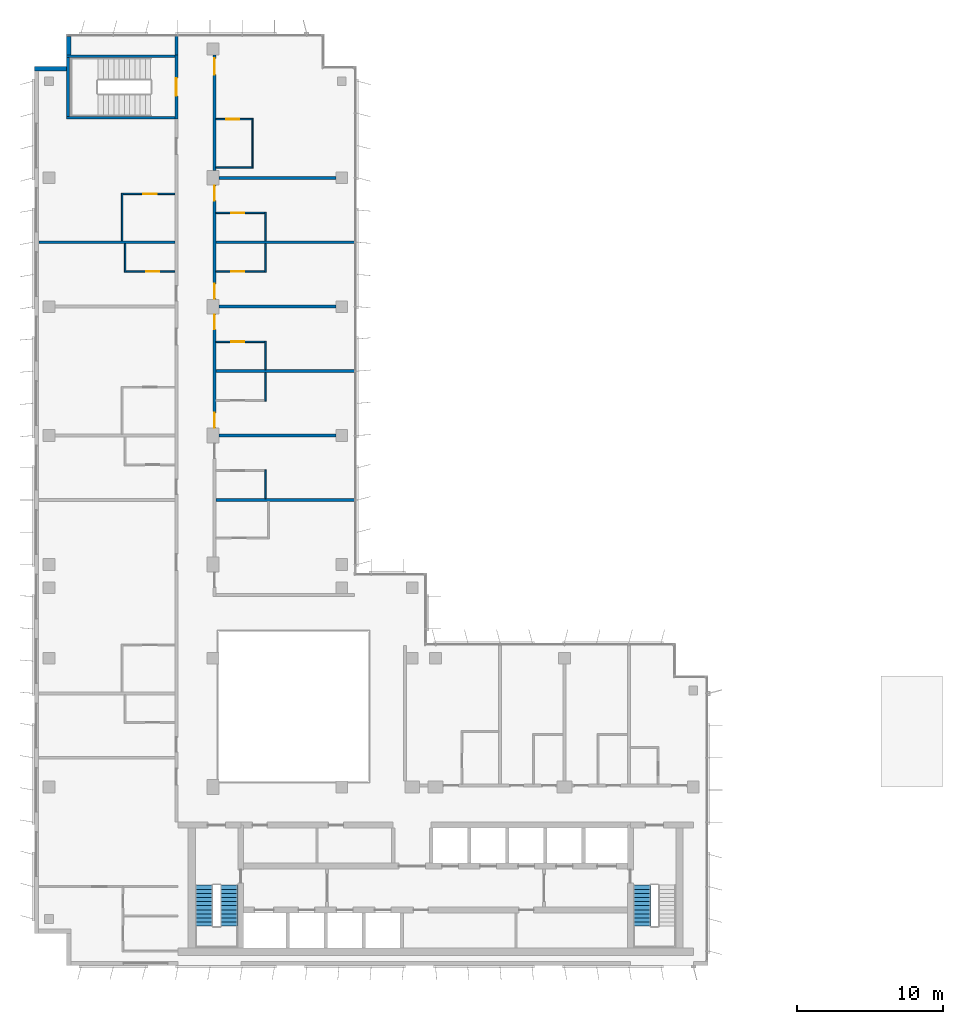
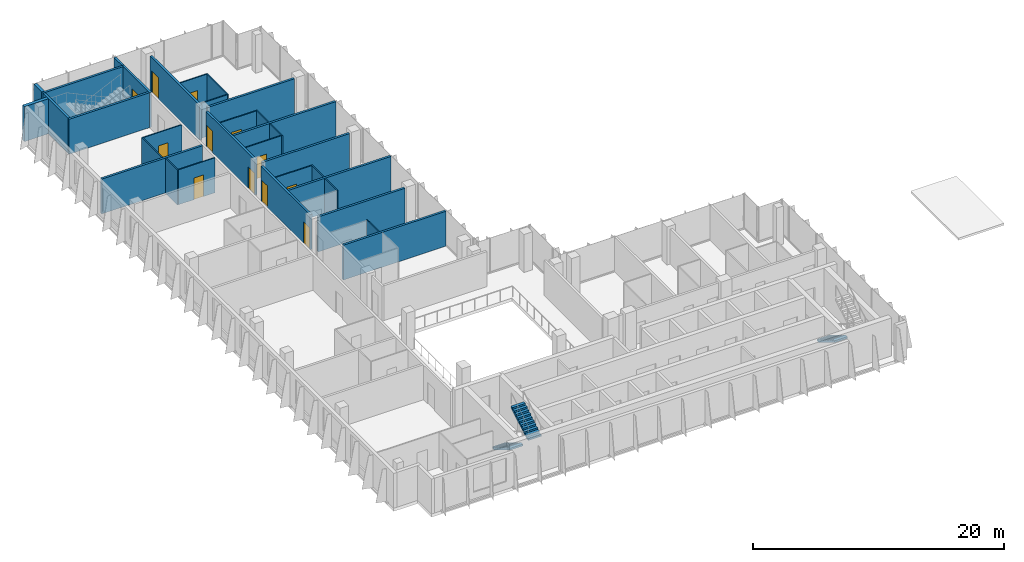
# One storey, part 13 of 17: 32 walls, 12 doors, 3 stair flights, 12 openings, 2 elements without a shape of their own.
"""IFC4 building model written with IfcOpenShell, lengths in metres."""

from ifc_helpers import new_model, si_unit, direction, frame, frame_2d, origin, place, context, subcontext, project, spatial, polyline, rectangle, outline, extrude, material, layer, layer_set, type_object, element, fill, aggregate, save


model = new_model("IFC4")

# Units and contexts
model_context = context("Model", 3, precision=1e-05, world=origin(), true_north=direction((0.0, 1.0)))
body_context = subcontext(model_context, "Body", "Model", "MODEL_VIEW")
ifc_project = project(units=[si_unit("LENGTHUNIT", "METRE"), si_unit("AREAUNIT", "SQUARE_METRE"), si_unit("VOLUMEUNIT", "CUBIC_METRE"), si_unit("PLANEANGLEUNIT", "RADIAN"), si_unit("MASSUNIT", "GRAM", prefix="KILO")], contexts=[model_context])

# Site, building, storey
site_placement = place(None, origin())
site = spatial("IfcSite", under=ifc_project, at=site_placement, CompositionType="ELEMENT")
building_placement = place(site_placement, origin())
building = spatial("IfcBuilding", under=site, at=building_placement, Name="Kemantara Hotel Tower", CompositionType="ELEMENT")
storey_placement = place(building_placement, frame((0.0, 0.0, 226.5)))
storey = spatial("IfcBuildingStorey", under=building, at=storey_placement, Name="L56", CompositionType="ELEMENT", Elevation=226.5)

# Walls
ifc_material_1 = material(Name="Bronze anodised aluminium cladding on insulated steel stud wall", Category="steel")
ifc_layer_1 = layer(ifc_material_1, 0.300048828125)
ifc_layer_set_1 = layer_set([ifc_layer_1], Name="Bronze anodised aluminium cladding on insulated steel stud wall")
wall_type_1 = type_object("IfcWallType", Name="BRONZE METAL-CLAD EXTERNAL WALL 300", PredefinedType="STANDARD", material=ifc_layer_set_1)
wall_1_placement = place(storey_placement, frame((2.35009765625, 63.449951171875, 0.0), z_axis=(0.0, 0.0, 1.0), x_axis=(0.0, -1.0, 0.0)))
element("IfcWall", 1, at=wall_1_placement, inside=storey, type_object=wall_type_1, Name="EXTERNAL WALL L56 T4-R03", PredefinedType="STANDARD", context=body_context, shape_type="SweptSolid", body=[
    extrude(rectangle(XDim=1.25, YDim=0.300048828125, at=frame_2d((0.625, 0.0))), origin(), (0.0, 0.0, 1.0), 3.39990234375),
])
wall_2_placement = place(storey_placement, frame((2.199951171875, 61.25, 0.0), z_axis=(0.0, 0.0, 1.0), x_axis=(-1.0, 0.0, 0.0)))
element("IfcWall", 2, at=wall_2_placement, inside=storey, type_object=wall_type_1, Name="EXTERNAL WALL L56 T4-R04", PredefinedType="STANDARD", context=body_context, shape_type="SweptSolid", body=[
    extrude(rectangle(XDim=2.199951171875, YDim=0.300048828125, at=frame_2d((1.10009765625, 0.0))), origin(), (0.0, 0.0, 1.0), 3.39990234375),
])
ifc_material_2 = material(Name="Gypsum board partition, steel studs and mineral wool, 200 mm", Category="steel")
ifc_layer_2 = layer(ifc_material_2, 0.199951171875)
ifc_layer_set_2 = layer_set([ifc_layer_2], Name="Gypsum board partition, steel studs and mineral wool, 200 mm")
wall_type_2 = type_object("IfcWallType", Name="CORRIDOR WALL 200", PredefinedType="PARTITIONING", material=ifc_layer_set_2)
wall_3_placement = place(storey_placement, frame((9.699951171875, 62.199951171875, 0.0), z_axis=(0.0, 0.0, 1.0), x_axis=(0.0, 1.0, 0.0)))
element("IfcWall", 3, at=wall_3_placement, inside=storey, type_object=wall_type_2, Name="CORRIDOR WALL 200 009", PredefinedType="PARTITIONING", context=body_context, shape_type="SweptSolid", body=[
    extrude(rectangle(XDim=1.280029296875, YDim=0.199951171875, at=frame_2d((0.64013671875, 0.0))), origin(), (0.0, 0.0, 1.0), 3.39990234375),
])

# Wall, openings, doors
wall_4_placement = place(storey_placement, frame((12.300048828125, 44.5, 0.0), z_axis=(0.0, 0.0, 1.0), x_axis=(0.0, -1.0, 0.0)))
wall_4 = element("IfcWall", 4, at=wall_4_placement, inside=storey, type_object=wall_type_2, Name="CORRIDOR WALL 200 022", PredefinedType="PARTITIONING", context=body_context, shape_type="SweptSolid", body=[
    extrude(rectangle(XDim=7.7998046875, YDim=0.199951171875, at=frame_2d((3.89990234375, 0.0))), origin(), (0.0, 0.0, 1.0), 3.39990234375),
])
opening_1_placement = place(wall_4_placement, frame((6.75, 0.0, 0.0)))
opening_1 = element("IfcOpeningElement", 5, at=opening_1_placement, cuts=wall_4, Name="Opening F27-029", PredefinedType="OPENING", context=body_context, shape_type="SweptSolid", body=[
    extrude(rectangle(XDim=1.0, YDim=2.10009765625, at=frame_2d((0.5, 1.050048828125))), frame((0.0, 0.10986328125, 0.0), z_axis=(0.0, -1.0, 0.0), x_axis=(1.0, 0.0, 0.0)), (0.0, 0.0, 1.0), 0.219970703125),
])
opening_2_placement = place(wall_4_placement, frame((0.0498046875, 0.0, 0.0)))
opening_2 = element("IfcOpeningElement", 6, at=opening_2_placement, cuts=wall_4, Name="Opening F27-031", PredefinedType="OPENING", context=body_context, shape_type="SweptSolid", body=[
    extrude(rectangle(XDim=1.0, YDim=2.10009765625, at=frame_2d((0.5, 1.050048828125))), frame((0.0, 0.10986328125, 0.0), z_axis=(0.0, -1.0, 0.0), x_axis=(1.0, 0.0, 0.0)), (0.0, 0.0, 1.0), 0.219970703125),
])
ifc_material_3 = material(Name="Hardwood veneer door leaf with steel frame", Category="steel")
door_type_1 = type_object("IfcDoorType", Name="GUEST ROOM DOOR 1000 X 2100 FD30S", OperationType="NOTDEFINED", PredefinedType="DOOR", material=ifc_material_3)
door_1_placement = place(opening_1_placement, origin())
door_1 = element("IfcDoor", 7, at=door_1_placement, inside=storey, type_object=door_type_1, Name="GUEST ROOM DOOR F27-029", OperationType="SINGLE_SWING_RIGHT", OverallHeight=2.10009765625, OverallWidth=1.0, PredefinedType="DOOR", context=body_context, shape_type="SweptSolid", body=[
    extrude(rectangle(XDim=1.0, YDim=2.10009765625, at=frame_2d((0.5, 1.050048828125))), frame((0.0, 0.02490234375, 0.0), z_axis=(0.0, -1.0, 0.0), x_axis=(1.0, 0.0, 0.0)), (0.0, 0.0, 1.0), 0.050048828125),
])
fill(opening_1, door_1)
door_2_placement = place(opening_2_placement, origin())
door_2 = element("IfcDoor", 8, at=door_2_placement, inside=storey, type_object=door_type_1, Name="GUEST ROOM DOOR F27-031", OperationType="SINGLE_SWING_LEFT", OverallHeight=2.10009765625, OverallWidth=1.0, PredefinedType="DOOR", context=body_context, shape_type="SweptSolid", body=[
    extrude(rectangle(XDim=1.0, YDim=2.10009765625, at=frame_2d((0.5, 1.050048828125))), frame((0.0, 0.02490234375, 0.0), z_axis=(0.0, -1.0, 0.0), x_axis=(1.0, 0.0, 0.0)), (0.0, 0.0, 1.0), 0.050048828125),
])
fill(opening_2, door_2)

wall_5_placement = place(storey_placement, frame((12.300048828125, 53.2998046875, 0.0), z_axis=(0.0, 0.0, 1.0), x_axis=(0.0, -1.0, 0.0)))
wall_5 = element("IfcWall", 9, at=wall_5_placement, inside=storey, type_object=wall_type_2, Name="CORRIDOR WALL 200 023", PredefinedType="PARTITIONING", context=body_context, shape_type="SweptSolid", body=[
    extrude(rectangle(XDim=7.7998046875, YDim=0.199951171875, at=frame_2d((3.89990234375, 0.0))), origin(), (0.0, 0.0, 1.0), 3.39990234375),
])
opening_3_placement = place(wall_5_placement, frame((6.75, 0.0, 0.0)))
opening_3 = element("IfcOpeningElement", 10, at=opening_3_placement, cuts=wall_5, Name="Opening F27-033", PredefinedType="OPENING", context=body_context, shape_type="SweptSolid", body=[
    extrude(rectangle(XDim=1.0, YDim=2.10009765625, at=frame_2d((0.5, 1.050048828125))), frame((0.0, 0.10986328125, 0.0), z_axis=(0.0, -1.0, 0.0), x_axis=(1.0, 0.0, 0.0)), (0.0, 0.0, 1.0), 0.219970703125),
])
opening_4_placement = place(wall_5_placement, frame((0.0498046875, 0.0, 0.0)))
opening_4 = element("IfcOpeningElement", 11, at=opening_4_placement, cuts=wall_5, Name="Opening F27-035", PredefinedType="OPENING", context=body_context, shape_type="SweptSolid", body=[
    extrude(rectangle(XDim=1.0, YDim=2.10009765625, at=frame_2d((0.5, 1.050048828125))), frame((0.0, 0.10986328125, 0.0), z_axis=(0.0, -1.0, 0.0), x_axis=(1.0, 0.0, 0.0)), (0.0, 0.0, 1.0), 0.219970703125),
])
door_3_placement = place(opening_3_placement, origin())
door_3 = element("IfcDoor", 12, at=door_3_placement, inside=storey, type_object=door_type_1, Name="GUEST ROOM DOOR F27-033", OperationType="SINGLE_SWING_RIGHT", OverallHeight=2.10009765625, OverallWidth=1.0, PredefinedType="DOOR", context=body_context, shape_type="SweptSolid", body=[
    extrude(rectangle(XDim=1.0, YDim=2.10009765625, at=frame_2d((0.5, 1.050048828125))), frame((0.0, 0.02490234375, 0.0), z_axis=(0.0, -1.0, 0.0), x_axis=(1.0, 0.0, 0.0)), (0.0, 0.0, 1.0), 0.050048828125),
])
fill(opening_3, door_3)
door_4_placement = place(opening_4_placement, origin())
door_4 = element("IfcDoor", 13, at=door_4_placement, inside=storey, type_object=door_type_1, Name="GUEST ROOM DOOR F27-035", OperationType="SINGLE_SWING_LEFT", OverallHeight=2.10009765625, OverallWidth=1.0, PredefinedType="DOOR", context=body_context, shape_type="SweptSolid", body=[
    extrude(rectangle(XDim=1.0, YDim=2.10009765625, at=frame_2d((0.5, 1.050048828125))), frame((0.0, 0.02490234375, 0.0), z_axis=(0.0, -1.0, 0.0), x_axis=(1.0, 0.0, 0.0)), (0.0, 0.0, 1.0), 0.050048828125),
])
fill(opening_4, door_4)

# Wall, opening, door
wall_6_placement = place(storey_placement, frame((12.300048828125, 62.199951171875, 0.0), z_axis=(0.0, 0.0, 1.0), x_axis=(0.0, -1.0, 0.0)))
wall_6 = element("IfcWall", 14, at=wall_6_placement, inside=storey, type_object=wall_type_2, Name="CORRIDOR WALL 200 024", PredefinedType="PARTITIONING", context=body_context, shape_type="SweptSolid", body=[
    extrude(rectangle(XDim=7.89990234375, YDim=0.199951171875, at=frame_2d((3.949951171875, 0.0))), origin(), (0.0, 0.0, 1.0), 3.39990234375),
])
opening_5_placement = place(wall_6_placement, frame((0.25, 0.0, 0.0)))
opening_5 = element("IfcOpeningElement", 15, at=opening_5_placement, cuts=wall_6, Name="Opening F27-037", PredefinedType="OPENING", context=body_context, shape_type="SweptSolid", body=[
    extrude(rectangle(XDim=1.10009765625, YDim=2.10009765625, at=frame_2d((0.550048828125, 1.050048828125))), frame((0.0, 0.10986328125, 0.0), z_axis=(0.0, -1.0, 0.0), x_axis=(1.0, 0.0, 0.0)), (0.0, 0.0, 1.0), 0.219970703125),
])
door_type_2 = type_object("IfcDoorType", Name="SUITE ENTRANCE DOOR 1100 X 2100 FD30S", OperationType="NOTDEFINED", PredefinedType="DOOR", material=ifc_material_3)
door_5_placement = place(opening_5_placement, origin())
door_5 = element("IfcDoor", 16, at=door_5_placement, inside=storey, type_object=door_type_2, Name="SUITE ENTRANCE DOOR F27-037", OperationType="SINGLE_SWING_LEFT", OverallHeight=2.10009765625, OverallWidth=1.10009765625, PredefinedType="DOOR", context=body_context, shape_type="SweptSolid", body=[
    extrude(rectangle(XDim=1.10009765625, YDim=2.10009765625, at=frame_2d((0.550048828125, 1.050048828125))), frame((0.0, 0.02490234375, 0.0), z_axis=(0.0, -1.0, 0.0), x_axis=(1.0, 0.0, 0.0)), (0.0, 0.0, 1.0), 0.050048828125),
])
fill(opening_5, door_5)

ifc_material_4 = material(Name="Concrete fc 40 MPa", Category="concrete")
ifc_layer_3 = layer(ifc_material_4, 0.199951171875)
ifc_layer_set_3 = layer_set([ifc_layer_3], Name="Concrete fc 40 MPa")
wall_type_3 = type_object("IfcWallType", Name="Concrete stair wall 200 mm", PredefinedType="SHEAR", material=ifc_layer_set_3)
wall_7_placement = place(storey_placement, frame((9.699951171875, 57.800048828125, 0.0), z_axis=(0.0, 0.0, 1.0), x_axis=(0.0, 1.0, 0.0)))
wall_7 = element("IfcWall", 17, at=wall_7_placement, inside=storey, type_object=wall_type_3, Name="Stair ST4 enclosure wall with door", PredefinedType="SHEAR", context=body_context, shape_type="SweptSolid", body=[
    extrude(rectangle(XDim=4.39990234375, YDim=0.199951171875, at=frame_2d((2.199951171875, 0.0))), origin(), (0.0, 0.0, 1.0), 3.39990234375),
])
opening_6_placement = place(wall_7_placement, frame((1.60009765625, 0.0, 0.0)))
opening_6 = element("IfcOpeningElement", 18, at=opening_6_placement, cuts=wall_7, Name="Opening ST4-C", PredefinedType="OPENING", context=body_context, shape_type="SweptSolid", body=[
    extrude(rectangle(XDim=1.199951171875, YDim=2.10009765625, at=frame_2d((0.60009765625, 1.050048828125))), frame((0.0, 0.10986328125, 0.0), z_axis=(0.0, -1.0, 0.0), x_axis=(1.0, 0.0, 0.0)), (0.0, 0.0, 1.0), 0.219970703125),
])
ifc_material_5 = material(Name="Steel fire door", Category="steel")
door_type_3 = type_object("IfcDoorType", Name="Fire door FD90 1200 x 2100", OperationType="NOTDEFINED", PredefinedType="DOOR", material=ifc_material_5)
door_6_placement = place(opening_6_placement, origin())
door_6 = element("IfcDoor", 19, at=door_6_placement, inside=storey, type_object=door_type_3, Name="Stair ST4 door", OperationType="SINGLE_SWING_RIGHT", OverallHeight=2.10009765625, OverallWidth=1.199951171875, PredefinedType="DOOR", context=body_context, shape_type="SweptSolid", body=[
    extrude(rectangle(XDim=1.199951171875, YDim=2.10009765625, at=frame_2d((0.60009765625, 1.050048828125))), frame((0.0, 0.02490234375, 0.0), z_axis=(0.0, -1.0, 0.0), x_axis=(1.0, 0.0, 0.0)), (0.0, 0.0, 1.0), 0.050048828125),
])
fill(opening_6, door_6)

# Walls
for number, where, z_axis, x_axis, name in (
    (20, (2.199951171875, 62.10009765625, 0.0), (0.0, 0.0, 1.0), (1.0, 0.0, 0.0), "Stair ST4 enclosure wall N"),
    (21, (2.199951171875, 57.89990234375, 0.0), (0.0, 0.0, 1.0), (1.0, 0.0, 0.0), "Stair ST4 enclosure wall S"),
):
    element("IfcWall", number, at=place(storey_placement, frame(where, z_axis=z_axis, x_axis=x_axis)), inside=storey, type_object=wall_type_3, Name=name, PredefinedType="SHEAR", context=body_context, shape_type="SweptSolid", body=[
        extrude(rectangle(XDim=7.400146484375, YDim=0.199951171875, at=frame_2d((3.7001953125, 0.0))), origin(), (0.0, 0.0, 1.0), 3.39990234375),
    ])
wall_8_placement = place(storey_placement, frame((2.300048828125, 58.0, 0.0), z_axis=(0.0, 0.0, 1.0), x_axis=(0.0, 1.0, 0.0)))
element("IfcWall", 22, at=wall_8_placement, inside=storey, type_object=wall_type_3, Name="Stair ST4 enclosure wall W", PredefinedType="SHEAR", context=body_context, shape_type="SweptSolid", body=[
    extrude(rectangle(XDim=4.0, YDim=0.199951171875, at=frame_2d((2.0, 0.0))), origin(), (0.0, 0.0, 1.0), 3.39990234375),
])
ifc_layer_4 = layer(ifc_material_2, 0.199951171875)
ifc_layer_set_4 = layer_set([ifc_layer_4], Name="Gypsum board partition, steel studs and mineral wool, 200 mm")
wall_type_4 = type_object("IfcWallType", Name="GUEST ROOM PARTY WALL 200", PredefinedType="PARTITIONING", material=ifc_layer_set_4)
wall_9_placement = place(storey_placement, frame((12.39990234375, 31.800048828125, 0.0), z_axis=(0.0, 0.0, 1.0), x_axis=(1.0, 0.0, 0.0)))
element("IfcWall", 23, at=wall_9_placement, inside=storey, type_object=wall_type_4, Name="GUEST ROOM PARTY WALL 200 013", PredefinedType="PARTITIONING", context=body_context, shape_type="SweptSolid", body=[
    extrude(rectangle(XDim=9.47021484375, YDim=0.199951171875, at=frame_2d((4.735107421875, 0.0))), origin(), (0.0, 0.0, 1.0), 3.39990234375),
])
for number, where, z_axis, x_axis, name in (
    (24, (12.60009765625, 36.199951171875, 0.0), (0.0, 0.0, 1.0), (1.0, 0.0, 0.0), "GUEST ROOM PARTY WALL 200 015"),
    (25, (12.60009765625, 45.0, 0.0), (0.0, 0.0, 1.0), (1.0, 0.0, 0.0), "GUEST ROOM PARTY WALL 200 017"),
):
    element("IfcWall", number, at=place(storey_placement, frame(where, z_axis=z_axis, x_axis=x_axis)), inside=storey, type_object=wall_type_4, Name=name, PredefinedType="PARTITIONING", context=body_context, shape_type="SweptSolid", body=[
        extrude(rectangle(XDim=7.999755859375, YDim=0.199951171875, at=frame_2d((4.0, 0.0))), origin(), (0.0, 0.0, 1.0), 3.39990234375),
    ])
wall_10_placement = place(storey_placement, frame((0.31005859375, 49.39990234375, 0.0), z_axis=(0.0, 0.0, 1.0), x_axis=(1.0, 0.0, 0.0)))
element("IfcWall", 26, at=wall_10_placement, inside=storey, type_object=wall_type_4, Name="GUEST ROOM PARTY WALL 200 018", PredefinedType="PARTITIONING", context=body_context, shape_type="SweptSolid", body=[
    extrude(rectangle(XDim=9.2900390625, YDim=0.199951171875, at=frame_2d((4.64501953125, 0.0))), origin(), (0.0, 0.0, 1.0), 3.39990234375),
])
for number, where, z_axis, x_axis, name in (
    (27, (12.39990234375, 49.39990234375, 0.0), (0.0, 0.0, 1.0), (1.0, 0.0, 0.0), "GUEST ROOM PARTY WALL 200 019"),
    (28, (12.39990234375, 40.60009765625, 0.0), (0.0, 0.0, 1.0), (1.0, 0.0, 0.0), "GUEST ROOM PARTY WALL 200 026"),
):
    element("IfcWall", number, at=place(storey_placement, frame(where, z_axis=z_axis, x_axis=x_axis)), inside=storey, type_object=wall_type_4, Name=name, PredefinedType="PARTITIONING", context=body_context, shape_type="SweptSolid", body=[
        extrude(rectangle(XDim=9.47021484375, YDim=0.199951171875, at=frame_2d((4.735107421875, 0.0))), origin(), (0.0, 0.0, 1.0), 3.39990234375),
    ])
wall_11_placement = place(storey_placement, frame((12.60009765625, 53.800048828125, 0.0), z_axis=(0.0, 0.0, 1.0), x_axis=(1.0, 0.0, 0.0)))
element("IfcWall", 29, at=wall_11_placement, inside=storey, type_object=wall_type_4, Name="GUEST ROOM PARTY WALL 200 027", PredefinedType="PARTITIONING", context=body_context, shape_type="SweptSolid", body=[
    extrude(rectangle(XDim=7.999755859375, YDim=0.199951171875, at=frame_2d((4.0, 0.0))), origin(), (0.0, 0.0, 1.0), 3.39990234375),
])
ifc_material_6 = material(Name="Gypsum board partition on steel studs, 100 mm", Category="steel")
ifc_layer_5 = layer(ifc_material_6, 0.10009765625)
ifc_layer_set_5 = layer_set([ifc_layer_5], Name="Gypsum board partition on steel studs, 100 mm")
wall_type_5 = type_object("IfcWallType", Name="ROOM PARTITION 100", PredefinedType="PARTITIONING", material=ifc_layer_set_5)
wall_12_placement = place(storey_placement, frame((6.199951171875, 47.35009765625, 0.0), z_axis=(0.0, 0.0, 1.0), x_axis=(0.0, 1.0, 0.0)))
element("IfcWall", 30, at=wall_12_placement, inside=storey, type_object=wall_type_5, Name="ROOM PARTITION 100 042", PredefinedType="PARTITIONING", context=body_context, shape_type="SweptSolid", body=[
    extrude(rectangle(XDim=1.949951171875, YDim=0.10009765625, at=frame_2d((0.97509765625, 0.0))), origin(), (0.0, 0.0, 1.0), 3.39990234375),
])
wall_13_placement = place(storey_placement, frame((6.0, 49.5, 0.0), z_axis=(0.0, 0.0, 1.0), x_axis=(0.0, 1.0, 0.0)))
element("IfcWall", 31, at=wall_13_placement, inside=storey, type_object=wall_type_5, Name="ROOM PARTITION 100 046", PredefinedType="PARTITIONING", context=body_context, shape_type="SweptSolid", body=[
    extrude(rectangle(XDim=3.25, YDim=0.10009765625, at=frame_2d((1.625, 0.0))), origin(), (0.0, 0.0, 1.0), 3.39990234375),
])

# Wall, opening, door
wall_14_placement = place(storey_placement, frame((6.25, 47.39990234375, 0.0), z_axis=(0.0, 0.0, 1.0), x_axis=(1.0, 0.0, 0.0)))
wall_14 = element("IfcWall", 32, at=wall_14_placement, inside=storey, type_object=wall_type_5, Name="ROOM PARTITION 100 050", PredefinedType="PARTITIONING", context=body_context, shape_type="SweptSolid", body=[
    extrude(rectangle(XDim=3.35009765625, YDim=0.10009765625, at=frame_2d((1.675048828125, 0.0))), origin(), (0.0, 0.0, 1.0), 3.39990234375),
])
opening_7_placement = place(wall_14_placement, frame((1.39990234375, 0.0, 0.0)))
opening_7 = element("IfcOpeningElement", 33, at=opening_7_placement, cuts=wall_14, Name="Opening F27-022", PredefinedType="OPENING", context=body_context, shape_type="SweptSolid", body=[
    extrude(rectangle(XDim=0.89990234375, YDim=2.10009765625, at=frame_2d((0.449951171875, 1.050048828125))), frame((0.0, 0.06005859375, 0.0), z_axis=(0.0, -1.0, 0.0), x_axis=(1.0, 0.0, 0.0)), (0.0, 0.0, 1.0), 0.1201171875),
])
door_type_4 = type_object("IfcDoorType", Name="BATHROOM DOOR 900 X 2100", OperationType="NOTDEFINED", PredefinedType="DOOR", material=ifc_material_3)
door_7_placement = place(opening_7_placement, origin())
door_7 = element("IfcDoor", 34, at=door_7_placement, inside=storey, type_object=door_type_4, Name="BATHROOM DOOR F27-022", OperationType="SINGLE_SWING_RIGHT", OverallHeight=2.10009765625, OverallWidth=0.89990234375, PredefinedType="DOOR", context=body_context, shape_type="SweptSolid", body=[
    extrude(rectangle(XDim=0.89990234375, YDim=2.10009765625, at=frame_2d((0.449951171875, 1.050048828125))), frame((0.0, 0.02490234375, 0.0), z_axis=(0.0, -1.0, 0.0), x_axis=(1.0, 0.0, 0.0)), (0.0, 0.0, 1.0), 0.050048828125),
])
fill(opening_7, door_7)

wall_15_placement = place(storey_placement, frame((12.39990234375, 47.39990234375, 0.0), z_axis=(0.0, 0.0, 1.0), x_axis=(1.0, 0.0, 0.0)))
wall_15 = element("IfcWall", 35, at=wall_15_placement, inside=storey, type_object=wall_type_5, Name="ROOM PARTITION 100 051", PredefinedType="PARTITIONING", context=body_context, shape_type="SweptSolid", body=[
    extrude(rectangle(XDim=3.35009765625, YDim=0.10009765625, at=frame_2d((1.675048828125, 0.0))), origin(), (0.0, 0.0, 1.0), 3.39990234375),
])
opening_8_placement = place(wall_15_placement, frame((1.050048828125, 0.0, 0.0)))
opening_8 = element("IfcOpeningElement", 36, at=opening_8_placement, cuts=wall_15, Name="Opening F27-034", PredefinedType="OPENING", context=body_context, shape_type="SweptSolid", body=[
    extrude(rectangle(XDim=0.89990234375, YDim=2.10009765625, at=frame_2d((0.449951171875, 1.050048828125))), frame((0.0, 0.06005859375, 0.0), z_axis=(0.0, -1.0, 0.0), x_axis=(1.0, 0.0, 0.0)), (0.0, 0.0, 1.0), 0.1201171875),
])
door_8_placement = place(opening_8_placement, origin())
door_8 = element("IfcDoor", 37, at=door_8_placement, inside=storey, type_object=door_type_4, Name="BATHROOM DOOR F27-034", OperationType="SINGLE_SWING_LEFT", OverallHeight=2.10009765625, OverallWidth=0.89990234375, PredefinedType="DOOR", context=body_context, shape_type="SweptSolid", body=[
    extrude(rectangle(XDim=0.89990234375, YDim=2.10009765625, at=frame_2d((0.449951171875, 1.050048828125))), frame((0.0, 0.02490234375, 0.0), z_axis=(0.0, -1.0, 0.0), x_axis=(1.0, 0.0, 0.0)), (0.0, 0.0, 1.0), 0.050048828125),
])
fill(opening_8, door_8)

wall_16_placement = place(storey_placement, frame((9.60009765625, 52.699951171875, 0.0), z_axis=(0.0, 0.0, 1.0), x_axis=(-1.0, 0.0, 0.0)))
wall_16 = element("IfcWall", 38, at=wall_16_placement, inside=storey, type_object=wall_type_5, Name="ROOM PARTITION 100 052", PredefinedType="PARTITIONING", context=body_context, shape_type="SweptSolid", body=[
    extrude(rectangle(XDim=3.550048828125, YDim=0.10009765625, at=frame_2d((1.77490234375, 0.0))), origin(), (0.0, 0.0, 1.0), 3.39990234375),
])
opening_9_placement = place(wall_16_placement, frame((1.25, 0.0, 0.0)))
opening_9 = element("IfcOpeningElement", 39, at=opening_9_placement, cuts=wall_16, Name="Opening F27-024", PredefinedType="OPENING", context=body_context, shape_type="SweptSolid", body=[
    extrude(rectangle(XDim=0.89990234375, YDim=2.10009765625, at=frame_2d((0.449951171875, 1.050048828125))), frame((0.0, 0.06005859375, 0.0), z_axis=(0.0, -1.0, 0.0), x_axis=(1.0, 0.0, 0.0)), (0.0, 0.0, 1.0), 0.1201171875),
])
door_9_placement = place(opening_9_placement, origin())
door_9 = element("IfcDoor", 40, at=door_9_placement, inside=storey, type_object=door_type_4, Name="BATHROOM DOOR F27-024", OperationType="SINGLE_SWING_LEFT", OverallHeight=2.10009765625, OverallWidth=0.89990234375, PredefinedType="DOOR", context=body_context, shape_type="SweptSolid", body=[
    extrude(rectangle(XDim=0.89990234375, YDim=2.10009765625, at=frame_2d((0.449951171875, 1.050048828125))), frame((0.0, 0.02490234375, 0.0), z_axis=(0.0, -1.0, 0.0), x_axis=(1.0, 0.0, 0.0)), (0.0, 0.0, 1.0), 0.050048828125),
])
fill(opening_9, door_9)

# Walls
wall_17_placement = place(storey_placement, frame((15.800048828125, 31.89990234375, 0.0), z_axis=(0.0, 0.0, 1.0), x_axis=(0.0, 1.0, 0.0)))
element("IfcWall", 41, at=wall_17_placement, inside=storey, type_object=wall_type_5, Name="ROOM PARTITION 100 055", PredefinedType="PARTITIONING", context=body_context, shape_type="SweptSolid", body=[
    extrude(rectangle(XDim=1.9501953125, YDim=0.10009765625, at=frame_2d((0.97509765625, 0.0))), origin(), (0.0, 0.0, 1.0), 3.39990234375),
])
for number, where, z_axis, x_axis, name in (
    (42, (15.800048828125, 38.550048828125, 0.0), (0.0, 0.0, 1.0), (0.0, 1.0, 0.0), "ROOM PARTITION 100 056"),
    (43, (15.800048828125, 40.699951171875, 0.0), (0.0, 0.0, 1.0), (0.0, 1.0, 0.0), "ROOM PARTITION 100 057"),
    (44, (15.800048828125, 47.35009765625, 0.0), (0.0, 0.0, 1.0), (0.0, 1.0, 0.0), "ROOM PARTITION 100 058"),
    (45, (15.800048828125, 49.5, 0.0), (0.0, 0.0, 1.0), (0.0, 1.0, 0.0), "ROOM PARTITION 100 059"),
):
    element("IfcWall", number, at=place(storey_placement, frame(where, z_axis=z_axis, x_axis=x_axis)), inside=storey, type_object=wall_type_5, Name=name, PredefinedType="PARTITIONING", context=body_context, shape_type="SweptSolid", body=[
        extrude(rectangle(XDim=1.949951171875, YDim=0.10009765625, at=frame_2d((0.97509765625, 0.0))), origin(), (0.0, 0.0, 1.0), 3.39990234375),
    ])

# Wall, opening, door
wall_18_placement = place(storey_placement, frame((15.75, 42.60009765625, 0.0), z_axis=(0.0, 0.0, 1.0), x_axis=(-1.0, 0.0, 0.0)))
wall_18 = element("IfcWall", 46, at=wall_18_placement, inside=storey, type_object=wall_type_5, Name="ROOM PARTITION 100 062", PredefinedType="PARTITIONING", context=body_context, shape_type="SweptSolid", body=[
    extrude(rectangle(XDim=3.35009765625, YDim=0.10009765625, at=frame_2d((1.675048828125, 0.0))), origin(), (0.0, 0.0, 1.0), 3.39990234375),
])
opening_10_placement = place(wall_18_placement, frame((1.39990234375, 0.0, 0.0)))
opening_10 = element("IfcOpeningElement", 47, at=opening_10_placement, cuts=wall_18, Name="Opening F27-032", PredefinedType="OPENING", context=body_context, shape_type="SweptSolid", body=[
    extrude(rectangle(XDim=0.89990234375, YDim=2.10009765625, at=frame_2d((0.449951171875, 1.050048828125))), frame((0.0, 0.06005859375, 0.0), z_axis=(0.0, -1.0, 0.0), x_axis=(1.0, 0.0, 0.0)), (0.0, 0.0, 1.0), 0.1201171875),
])
door_10_placement = place(opening_10_placement, origin())
door_10 = element("IfcDoor", 48, at=door_10_placement, inside=storey, type_object=door_type_4, Name="BATHROOM DOOR F27-032", OperationType="SINGLE_SWING_RIGHT", OverallHeight=2.10009765625, OverallWidth=0.89990234375, PredefinedType="DOOR", context=body_context, shape_type="SweptSolid", body=[
    extrude(rectangle(XDim=0.89990234375, YDim=2.10009765625, at=frame_2d((0.449951171875, 1.050048828125))), frame((0.0, 0.02490234375, 0.0), z_axis=(0.0, -1.0, 0.0), x_axis=(1.0, 0.0, 0.0)), (0.0, 0.0, 1.0), 0.050048828125),
])
fill(opening_10, door_10)

wall_19_placement = place(storey_placement, frame((15.75, 51.39990234375, 0.0), z_axis=(0.0, 0.0, 1.0), x_axis=(-1.0, 0.0, 0.0)))
wall_19 = element("IfcWall", 49, at=wall_19_placement, inside=storey, type_object=wall_type_5, Name="ROOM PARTITION 100 063", PredefinedType="PARTITIONING", context=body_context, shape_type="SweptSolid", body=[
    extrude(rectangle(XDim=3.35009765625, YDim=0.10009765625, at=frame_2d((1.675048828125, 0.0))), origin(), (0.0, 0.0, 1.0), 3.39990234375),
])
opening_11_placement = place(wall_19_placement, frame((1.39990234375, 0.0, 0.0)))
opening_11 = element("IfcOpeningElement", 50, at=opening_11_placement, cuts=wall_19, Name="Opening F27-036", PredefinedType="OPENING", context=body_context, shape_type="SweptSolid", body=[
    extrude(rectangle(XDim=0.89990234375, YDim=2.10009765625, at=frame_2d((0.449951171875, 1.050048828125))), frame((0.0, 0.06005859375, 0.0), z_axis=(0.0, -1.0, 0.0), x_axis=(1.0, 0.0, 0.0)), (0.0, 0.0, 1.0), 0.1201171875),
])
door_11_placement = place(opening_11_placement, origin())
door_11 = element("IfcDoor", 51, at=door_11_placement, inside=storey, type_object=door_type_4, Name="BATHROOM DOOR F27-036", OperationType="SINGLE_SWING_RIGHT", OverallHeight=2.10009765625, OverallWidth=0.89990234375, PredefinedType="DOOR", context=body_context, shape_type="SweptSolid", body=[
    extrude(rectangle(XDim=0.89990234375, YDim=2.10009765625, at=frame_2d((0.449951171875, 1.050048828125))), frame((0.0, 0.02490234375, 0.0), z_axis=(0.0, -1.0, 0.0), x_axis=(1.0, 0.0, 0.0)), (0.0, 0.0, 1.0), 0.050048828125),
])
fill(opening_11, door_11)

# Walls
wall_20_placement = place(storey_placement, frame((14.89990234375, 54.449951171875, 0.0), z_axis=(0.0, 0.0, 1.0), x_axis=(0.0, 1.0, 0.0)))
element("IfcWall", 52, at=wall_20_placement, inside=storey, type_object=wall_type_5, Name="ROOM PARTITION 100 064", PredefinedType="PARTITIONING", context=body_context, shape_type="SweptSolid", body=[
    extrude(rectangle(XDim=3.400146484375, YDim=0.10009765625, at=frame_2d((1.7001953125, 0.0))), origin(), (0.0, 0.0, 1.0), 3.39990234375),
])
wall_21_placement = place(storey_placement, frame((12.39990234375, 54.5, 0.0), z_axis=(0.0, 0.0, 1.0), x_axis=(1.0, 0.0, 0.0)))
element("IfcWall", 53, at=wall_21_placement, inside=storey, type_object=wall_type_5, Name="ROOM PARTITION 100 065", PredefinedType="PARTITIONING", context=body_context, shape_type="SweptSolid", body=[
    extrude(rectangle(XDim=2.4501953125, YDim=0.10009765625, at=frame_2d((1.22509765625, 0.0))), origin(), (0.0, 0.0, 1.0), 3.39990234375),
])

# Wall, opening, door
wall_22_placement = place(storey_placement, frame((14.85009765625, 57.800048828125, 0.0), z_axis=(0.0, 0.0, 1.0), x_axis=(-1.0, 0.0, 0.0)))
wall_22 = element("IfcWall", 54, at=wall_22_placement, inside=storey, type_object=wall_type_5, Name="ROOM PARTITION 100 066", PredefinedType="PARTITIONING", context=body_context, shape_type="SweptSolid", body=[
    extrude(rectangle(XDim=2.4501953125, YDim=0.10009765625, at=frame_2d((1.22509765625, 0.0))), origin(), (0.0, 0.0, 1.0), 3.39990234375),
])
opening_12_placement = place(wall_22_placement, frame((0.85009765625, 0.0, 0.0)))
opening_12 = element("IfcOpeningElement", 55, at=opening_12_placement, cuts=wall_22, Name="Opening F27-038", PredefinedType="OPENING", context=body_context, shape_type="SweptSolid", body=[
    extrude(rectangle(XDim=0.89990234375, YDim=2.10009765625, at=frame_2d((0.449951171875, 1.050048828125))), frame((0.0, 0.06005859375, 0.0), z_axis=(0.0, -1.0, 0.0), x_axis=(1.0, 0.0, 0.0)), (0.0, 0.0, 1.0), 0.1201171875),
])
door_12_placement = place(opening_12_placement, origin())
door_12 = element("IfcDoor", 56, at=door_12_placement, inside=storey, type_object=door_type_4, Name="BATHROOM DOOR F27-038", OperationType="SINGLE_SWING_RIGHT", OverallHeight=2.10009765625, OverallWidth=0.89990234375, PredefinedType="DOOR", context=body_context, shape_type="SweptSolid", body=[
    extrude(rectangle(XDim=0.89990234375, YDim=2.10009765625, at=frame_2d((0.449951171875, 1.050048828125))), frame((0.0, 0.02490234375, 0.0), z_axis=(0.0, -1.0, 0.0), x_axis=(1.0, 0.0, 0.0)), (0.0, 0.0, 1.0), 0.050048828125),
])
fill(opening_12, door_12)

# Stair, stair flights
stair_type = type_object("IfcStairType", Name="Stair 1200 wide 22 risers of 168 x 280 mm", PredefinedType="HALF_TURN_STAIR", material=ifc_material_4)
stair_1_placement = place(storey_placement, origin())
stair_1 = element("IfcStair", 57, at=stair_1_placement, inside=storey, type_object=stair_type, Name="L56 Exit stair ST1", PredefinedType="HALF_TURN_STAIR")
stair_flight_type = type_object("IfcStairFlightType", Name="Stair flight 1200 wide 168 x 280 mm", PredefinedType="STRAIGHT", material=ifc_material_4)
stair_flight_1_placement = place(storey_placement, frame((11.60009765625, 5.5, 0.0), z_axis=(0.0, 0.0, 1.0), x_axis=(0.0, -1.0, 0.0)))
stair_flight_1 = element("IfcStairFlight", 58, at=stair_flight_1_placement, type_object=stair_flight_type, Name="ST1 flight 1", NumberOfRisers=11, NumberOfTreads=10, PredefinedType="STRAIGHT", RiserHeight=0.168181818, TreadLength=0.28, context=body_context, shape_type="SweptSolid", body=[
    extrude(outline(polyline([(0.0, 0.0), (0.0, 0.168212890625), (0.280029296875, 0.168212890625), (0.280029296875, 0.33642578125), (0.56005859375, 0.33642578125), (0.56005859375, 0.504638671875), (0.840087890625, 0.504638671875), (0.840087890625, 0.672607421875), (1.1201171875, 0.672607421875), (1.1201171875, 0.8408203125), (1.39990234375, 0.8408203125), (1.39990234375, 1.009033203125), (1.679931640625, 1.009033203125), (1.679931640625, 1.17724609375), (1.9599609375, 1.17724609375), (1.9599609375, 1.345458984375), (2.239990234375, 1.345458984375), (2.239990234375, 1.513671875), (2.52001953125, 1.513671875), (2.52001953125, 1.681884765625), (2.800048828125, 1.681884765625), (2.800048828125, 1.85009765625), (2.800048828125, 1.5068359375), (0.291015625, 0.0), (0.0, 0.0)])), frame((0.0, 0.60009765625, 0.0), z_axis=(0.0, -1.0, 0.0), x_axis=(1.0, 0.0, 0.0)), (0.0, 0.0, 1.0), 1.199951171875),
])
stair_flight_2_placement = place(storey_placement, frame((13.300048828125, 2.699951171875, 1.85009765625), z_axis=(0.0, 0.0, 1.0), x_axis=(0.0, 1.0, 0.0)))
stair_flight_2 = element("IfcStairFlight", 59, at=stair_flight_2_placement, type_object=stair_flight_type, Name="ST1 flight 2", NumberOfRisers=11, NumberOfTreads=10, PredefinedType="STRAIGHT", RiserHeight=0.168181818, TreadLength=0.28, context=body_context, shape_type="SweptSolid", body=[
    extrude(outline(polyline([(0.0, 0.0), (0.0, 0.168212890625), (0.280029296875, 0.168212890625), (0.280029296875, 0.33642578125), (0.56005859375, 0.33642578125), (0.56005859375, 0.504638671875), (0.840087890625, 0.504638671875), (0.840087890625, 0.672607421875), (1.1201171875, 0.672607421875), (1.1201171875, 0.8408203125), (1.39990234375, 0.8408203125), (1.39990234375, 1.009033203125), (1.679931640625, 1.009033203125), (1.679931640625, 1.17724609375), (1.9599609375, 1.17724609375), (1.9599609375, 1.345458984375), (2.239990234375, 1.345458984375), (2.239990234375, 1.513671875), (2.52001953125, 1.513671875), (2.52001953125, 1.681884765625), (2.800048828125, 1.681884765625), (2.800048828125, 1.85009765625), (2.800048828125, 1.5068359375), (0.291015625, 0.0), (0.0, 0.0)])), frame((0.0, 0.60009765625, 0.0), z_axis=(0.0, -1.0, 0.0), x_axis=(1.0, 0.0, 0.0)), (0.0, 0.0, 1.0), 1.199951171875),
])
aggregate(stair_1, [stair_flight_1, stair_flight_2])

# Stair, stair flight
stair_2_placement = place(storey_placement, origin())
stair_2 = element("IfcStair", 60, at=stair_2_placement, inside=storey, type_object=stair_type, Name="L56 Exit stair ST2", PredefinedType="HALF_TURN_STAIR")
stair_flight_3_placement = place(storey_placement, frame((41.5, 5.5, 0.0), z_axis=(0.0, 0.0, 1.0), x_axis=(0.0, -1.0, 0.0)))
stair_flight_3 = element("IfcStairFlight", 61, at=stair_flight_3_placement, type_object=stair_flight_type, Name="ST2 flight 1", NumberOfRisers=11, NumberOfTreads=10, PredefinedType="STRAIGHT", RiserHeight=0.168181818, TreadLength=0.28, context=body_context, shape_type="SweptSolid", body=[
    extrude(outline(polyline([(0.0, 0.0), (0.0, 0.168212890625), (0.280029296875, 0.168212890625), (0.280029296875, 0.33642578125), (0.56005859375, 0.33642578125), (0.56005859375, 0.504638671875), (0.840087890625, 0.504638671875), (0.840087890625, 0.672607421875), (1.1201171875, 0.672607421875), (1.1201171875, 0.8408203125), (1.39990234375, 0.8408203125), (1.39990234375, 1.009033203125), (1.679931640625, 1.009033203125), (1.679931640625, 1.17724609375), (1.9599609375, 1.17724609375), (1.9599609375, 1.345458984375), (2.239990234375, 1.345458984375), (2.239990234375, 1.513671875), (2.52001953125, 1.513671875), (2.52001953125, 1.681884765625), (2.800048828125, 1.681884765625), (2.800048828125, 1.85009765625), (2.800048828125, 1.5068359375), (0.291015625, 0.0), (0.0, 0.0)])), frame((0.0, 0.60009765625, 0.0), z_axis=(0.0, -1.0, 0.0), x_axis=(1.0, 0.0, 0.0)), (0.0, 0.0, 1.0), 1.199951171875),
])
aggregate(stair_2, [stair_flight_3])

save(model, "model.ifc")
